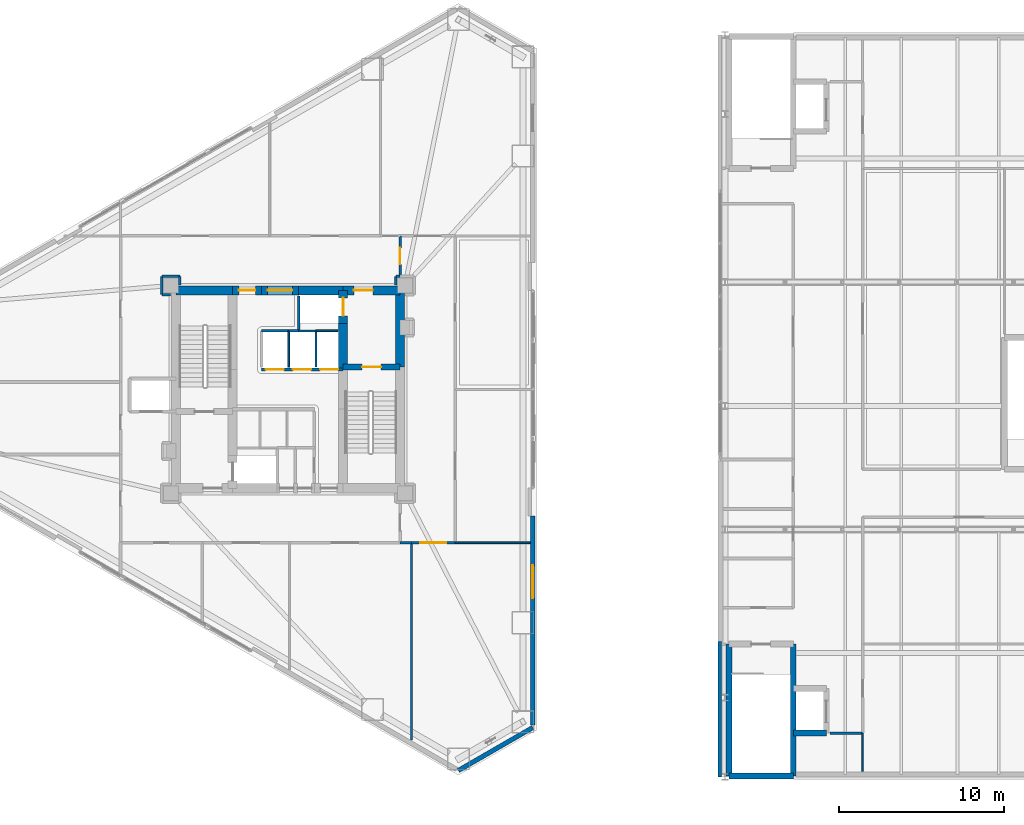
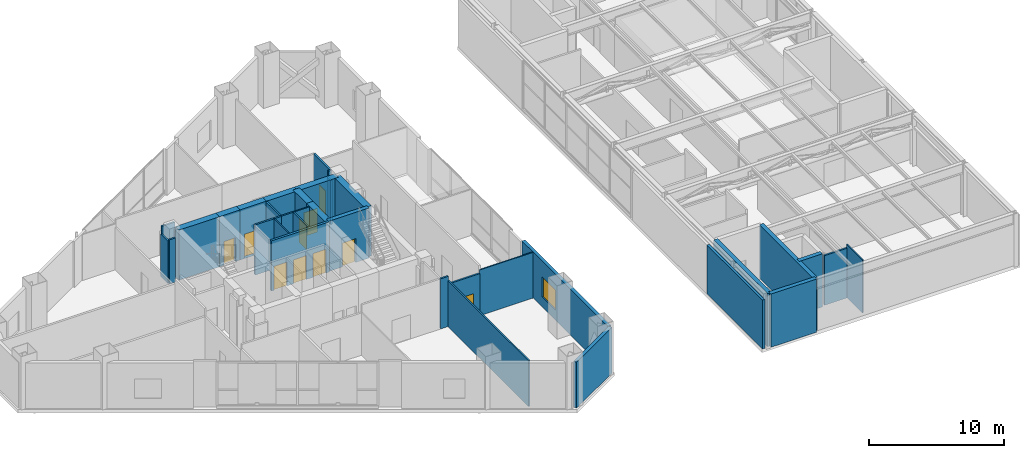
# One storey, part 22 of 27: 37 walls, 10 doors, 1 window, 11 openings.
"""IFC4 building model written with IfcOpenShell, lengths in metres."""

from ifc_helpers import new_model, si_unit, direction, frame, frame_2d, origin, place, context, subcontext, project, spatial, rectangle, extrude, material, layer, layer_set, type_object, element, fill, save


model = new_model("IFC4")

# Units and contexts
model_context = context("Model", 3, precision=1e-05, world=origin(), true_north=direction((0.0, 1.0)))
body_context = subcontext(model_context, "Body", "Model", "MODEL_VIEW")
ifc_project = project(units=[si_unit("LENGTHUNIT", "METRE"), si_unit("AREAUNIT", "SQUARE_METRE"), si_unit("VOLUMEUNIT", "CUBIC_METRE"), si_unit("PLANEANGLEUNIT", "RADIAN"), si_unit("MASSUNIT", "GRAM", prefix="KILO")], contexts=[model_context])

# Site, building, storey
site_placement = place(None, origin())
site = spatial("IfcSite", under=ifc_project, at=site_placement, CompositionType="ELEMENT")
building_placement = place(site_placement, origin())
building = spatial("IfcBuilding", under=site, at=building_placement, Name="Mersakhor Tower and Convention Hall", CompositionType="ELEMENT")
storey_placement = place(building_placement, frame((0.0, 0.0, 14.39990234375)))
storey = spatial("IfcBuildingStorey", under=building, at=storey_placement, Name="L03", CompositionType="ELEMENT", Elevation=14.39990234375)

# Wall
ifc_material_1 = material(Name="Precast concrete C45/55", Category="concrete")
ifc_layer_1 = layer(ifc_material_1, 0.27490234375)
ifc_layer_set_1 = layer_set([ifc_layer_1], Name="Precast concrete C45/55")
wall_type_1 = type_object("IfcWallType", Name="WL-EXT-275", PredefinedType="SOLIDWALL", material=ifc_layer_set_1)
wall_1_placement = place(storey_placement, frame((43.85009765625, 6.240234375, 0.0), z_axis=(0.0, 0.0, 1.0), x_axis=(-0.866043601342, -0.499968479581, 0.0)))
element("IfcWall", 1, at=wall_1_placement, inside=storey, type_object=wall_type_1, Name="L03 Chamfer Braced Spandrel Wall C2", PredefinedType="SOLIDWALL", context=body_context, shape_type="SweptSolid", body=[
    extrude(rectangle(XDim=5.211181640625, YDim=0.27490234375, at=frame_2d((2.60546875, 0.0))), origin(), (0.0, 0.0, 1.0), 4.14013671875),
])

# Wall, opening, window
wall_2_placement = place(storey_placement, frame((43.85009765625, 19.0634765625, 0.0), z_axis=(0.0, 0.0, 1.0), x_axis=(0.0, -1.0, 0.0)))
wall_2 = element("IfcWall", 2, at=wall_2_placement, inside=storey, type_object=wall_type_1, Name="L03 Exterior Facade Wall F2-B3", PredefinedType="SOLIDWALL", context=body_context, shape_type="SweptSolid", body=[
    extrude(rectangle(XDim=12.673095703125, YDim=0.27490234375, at=frame_2d((6.33642578125, 0.0))), origin(), (0.0, 0.0, 1.0), 4.14013671875),
])
opening_1_placement = place(wall_2_placement, frame((2.988037109375, 0.0, 0.89990234375)))
opening_1 = element("IfcOpeningElement", 3, at=opening_1_placement, cuts=wall_2, Name="Opening W-08", PredefinedType="OPENING", context=body_context, shape_type="SweptSolid", body=[
    extrude(rectangle(XDim=2.0, YDim=1.800048828125, at=frame_2d((1.0, 0.89990234375))), frame((0.0, 0.1474609375, 0.0), z_axis=(0.0, -1.0, 0.0), x_axis=(1.0, 0.0, 0.0)), (0.0, 0.0, 1.0), 0.294921875),
])
ifc_material_2 = material(Name="Dark solar low-E glazed aluminium window", Category="aluminium")
window_type = type_object("IfcWindowType", Name="WN-CLN-200x180", PartitioningType="SINGLE_PANEL", PredefinedType="WINDOW", material=ifc_material_2)
window_placement = place(opening_1_placement, origin())
window = element("IfcWindow", 4, at=window_placement, inside=storey, type_object=window_type, Name="L03 Facade Punched Window F2-B3", OverallHeight=1.800048828125, OverallWidth=2.0, PartitioningType="SINGLE_PANEL", PredefinedType="WINDOW", context=body_context, shape_type="SweptSolid", body=[
    extrude(rectangle(XDim=2.0, YDim=1.800048828125, at=frame_2d((1.0, 0.89990234375))), frame((0.0, 0.030029296875, 0.0), z_axis=(0.0, -1.0, 0.0), x_axis=(1.0, 0.0, 0.0)), (0.0, 0.0, 1.0), 0.06005859375),
])
fill(opening_1, window)

# Walls
ifc_material_3 = material(Name="Precast concrete C40/50", Category="concrete")
ifc_layer_2 = layer(ifc_material_3, 0.199951171875)
ifc_layer_set_2 = layer_set([ifc_layer_2], Name="Precast concrete C40/50")
wall_type_2 = type_object("IfcWallType", Name="WL-PAR-200", PredefinedType="PARAPET", material=ifc_layer_set_2)
wall_3_placement = place(storey_placement, frame((55.195068359375, 3.25, 0.0), z_axis=(0.0, 0.0, 1.0), x_axis=(0.0, 1.0, 0.0)))
element("IfcWall", 5, at=wall_3_placement, inside=storey, type_object=wall_type_2, Name="Convention L03 Stair Core Facade Cladding WC1", PredefinedType="PARAPET", context=body_context, shape_type="SweptSolid", body=[
    extrude(rectangle(XDim=8.199951171875, YDim=0.199951171875, at=frame_2d((4.10009765625, 0.0))), origin(), (0.0, 0.0, 1.0), 4.41015625),
])
ifc_material_4 = material(Name="Lightweight gypsum partition", Category="other")
ifc_layer_3 = layer(ifc_material_4, 0.10009765625)
ifc_layer_set_3 = layer_set([ifc_layer_3], Name="Lightweight gypsum partition")
wall_type_3 = type_object("IfcWallType", Name="WL-PRT-100", PredefinedType="PARTITIONING", material=ifc_layer_set_3)
wall_4_placement = place(storey_placement, frame((32.02490234375, 30.300048828125, 0.0), z_axis=(0.0, 0.0, 1.0), x_axis=(-1.0, 0.0, 0.0)))
element("IfcWall", 6, at=wall_4_placement, inside=storey, type_object=wall_type_3, Name="L03 Interior Partition Wall P-004", PredefinedType="PARTITIONING", context=body_context, shape_type="SweptSolid", body=[
    extrude(rectangle(XDim=1.324951171875, YDim=0.10009765625, at=frame_2d((0.66259765625, 0.0))), origin(), (0.0, 0.0, 1.0), 4.52001953125),
])
wall_5_placement = place(storey_placement, frame((29.050048828125, 30.300048828125, 0.0), z_axis=(0.0, 0.0, 1.0), x_axis=(0.0, -1.0, 0.0)))
element("IfcWall", 7, at=wall_5_placement, inside=storey, type_object=wall_type_3, Name="L03 Interior Partition Wall P-014", PredefinedType="PARTITIONING", context=body_context, shape_type="SweptSolid", body=[
    extrude(rectangle(XDim=2.199951171875, YDim=0.10009765625, at=frame_2d((1.10009765625, 0.0))), origin(), (0.0, 0.0, 1.0), 4.52001953125),
])
wall_6_placement = place(storey_placement, frame((63.85009765625, 3.573974609375, 0.0), z_axis=(0.0, 0.0, 1.0), x_axis=(0.0, 1.0, 0.0)))
element("IfcWall", 8, at=wall_6_placement, inside=storey, type_object=wall_type_3, Name="L03 Interior Partition Wall P-088", PredefinedType="PARTITIONING", context=body_context, shape_type="SweptSolid", body=[
    extrude(rectangle(XDim=2.325927734375, YDim=0.10009765625, at=frame_2d((1.1630859375, 0.0))), origin(), (0.0, 0.0, 1.0), 4.800048828125),
])
wall_7_placement = place(storey_placement, frame((43.6884765625, 17.449951171875, 0.0), z_axis=(0.0, 0.0, 1.0), x_axis=(-1.0, 0.0, 0.0)))
element("IfcWall", 9, at=wall_7_placement, inside=storey, type_object=wall_type_3, Name="L03 Interior Partition Wall P-098", PredefinedType="PARTITIONING", context=body_context, shape_type="SweptSolid", body=[
    extrude(rectangle(XDim=4.53857421875, YDim=0.10009765625, at=frame_2d((2.269287109375, 0.0))), origin(), (0.0, 0.0, 1.0), 4.130615234375),
])
ifc_material_5 = material(Name="Gypsum board acoustic partition", Category="other")
ifc_layer_4 = layer(ifc_material_5, 0.125)
ifc_layer_set_4 = layer_set([ifc_layer_4], Name="Gypsum board acoustic partition")
wall_type_4 = type_object("IfcWallType", Name="WL-PRT-125", PredefinedType="PARTITIONING", material=ifc_layer_set_4)
wall_8_placement = place(storey_placement, frame((30.699951171875, 30.300048828125, 0.0), z_axis=(0.0, 0.0, 1.0), x_axis=(-1.0, 0.0, 0.0)))
element("IfcWall", 10, at=wall_8_placement, inside=storey, type_object=wall_type_4, Name="L03 Interior Partition Wall P-005", PredefinedType="PARTITIONING", context=body_context, shape_type="SweptSolid", body=[
    extrude(rectangle(XDim=1.050048828125, YDim=0.125, at=frame_2d((0.52490234375, 0.0))), origin(), (0.0, 0.0, 1.0), 4.52001953125),
])
wall_9_placement = place(storey_placement, frame((30.699951171875, 30.300048828125, 0.0), z_axis=(0.0, 0.0, 1.0), x_axis=(0.0, -1.0, 0.0)))
element("IfcWall", 11, at=wall_9_placement, inside=storey, type_object=wall_type_4, Name="L03 Interior Partition Wall P-017", PredefinedType="PARTITIONING", context=body_context, shape_type="SweptSolid", body=[
    extrude(rectangle(XDim=2.199951171875, YDim=0.125, at=frame_2d((1.10009765625, 0.0))), origin(), (0.0, 0.0, 1.0), 4.52001953125),
])
wall_10_placement = place(storey_placement, frame((36.47998046875, 17.449951171875, 0.0), z_axis=(0.0, 0.0, 1.0), x_axis=(0.0, -1.0, 0.0)))
element("IfcWall", 12, at=wall_10_placement, inside=storey, type_object=wall_type_4, Name="L03 Interior Partition Wall P-099", PredefinedType="PARTITIONING", context=body_context, shape_type="SweptSolid", body=[
    extrude(rectangle(XDim=11.979248046875, YDim=0.125, at=frame_2d((5.98974609375, 0.0))), origin(), (0.0, 0.0, 1.0), 4.130615234375),
])
ifc_material_6 = material(Name="Fire-rated gypsum board stud partition", Category="other")
ifc_layer_5 = layer(ifc_material_6, 0.14990234375)
ifc_layer_set_5 = layer_set([ifc_layer_5], Name="Fire-rated gypsum board stud partition")
wall_type_5 = type_object("IfcWallType", Name="WL-PRT-150", PredefinedType="PARTITIONING", material=ifc_layer_set_5)
wall_11_placement = place(storey_placement, frame((29.64990234375, 30.300048828125, 0.0), z_axis=(0.0, 0.0, 1.0), x_axis=(0.0, 1.0, 0.0)))
element("IfcWall", 13, at=wall_11_placement, inside=storey, type_object=wall_type_5, Name="L03 Interior Partition Wall P-006", PredefinedType="PARTITIONING", context=body_context, shape_type="SweptSolid", body=[
    extrude(rectangle(XDim=2.125, YDim=0.14990234375, at=frame_2d((1.0625, 0.0))), origin(), (0.0, 0.0, 1.0), 4.52001953125),
])
wall_12_placement = place(storey_placement, frame((27.39990234375, 30.300048828125, 0.0), z_axis=(0.0, 0.0, 1.0), x_axis=(1.0, 0.0, 0.0)))
element("IfcWall", 14, at=wall_12_placement, inside=storey, type_object=wall_type_5, Name="L03 Interior Partition Wall P-013", PredefinedType="PARTITIONING", context=body_context, shape_type="SweptSolid", body=[
    extrude(rectangle(XDim=1.650146484375, YDim=0.14990234375, at=frame_2d((0.8251953125, 0.0))), origin(), (0.0, 0.0, 1.0), 4.52001953125),
])
wall_13_placement = place(storey_placement, frame((29.050048828125, 30.300048828125, 0.0), z_axis=(0.0, 0.0, 1.0), x_axis=(1.0, 0.0, 0.0)))
element("IfcWall", 15, at=wall_13_placement, inside=storey, type_object=wall_type_5, Name="L03 Interior Partition Wall P-016", PredefinedType="PARTITIONING", context=body_context, shape_type="SweptSolid", body=[
    extrude(rectangle(XDim=0.599853515625, YDim=0.14990234375, at=frame_2d((0.2998046875, 0.0))), origin(), (0.0, 0.0, 1.0), 4.52001953125),
])
wall_14_placement = place(storey_placement, frame((63.85009765625, 5.89990234375, 0.0), z_axis=(0.0, 0.0, 1.0), x_axis=(-1.0, 0.0, 0.0)))
element("IfcWall", 16, at=wall_14_placement, inside=storey, type_object=wall_type_5, Name="L03 Interior Partition Wall P-035", PredefinedType="PARTITIONING", context=body_context, shape_type="SweptSolid", body=[
    extrude(rectangle(XDim=1.97509765625, YDim=0.14990234375, at=frame_2d((0.987548828125, 0.0))), origin(), (0.0, 0.0, 1.0), 4.478515625),
])

# Wall, opening, door
wall_15_placement = place(storey_placement, frame((35.800048828125, 36.050048828125, 0.0), z_axis=(0.0, 0.0, 1.0), x_axis=(0.0, -1.0, 0.0)))
wall_15 = element("IfcWall", 17, at=wall_15_placement, inside=storey, type_object=wall_type_5, Name="L03 Interior Partition Wall P-052", PredefinedType="PARTITIONING", context=body_context, shape_type="SweptSolid", body=[
    extrude(rectangle(XDim=2.449951171875, YDim=0.14990234375, at=frame_2d((1.22509765625, 0.0))), origin(), (0.0, 0.0, 1.0), 4.52001953125),
])
opening_2_placement = place(wall_15_placement, frame((0.72509765625, 0.0, 0.0)))
opening_2 = element("IfcOpeningElement", 18, at=opening_2_placement, cuts=wall_15, Name="Opening FD-01", PredefinedType="OPENING", context=body_context, shape_type="SweptSolid", body=[
    extrude(rectangle(XDim=1.0, YDim=2.14990234375, at=frame_2d((0.5, 1.074951171875))), frame((0.0, 0.0849609375, 0.0), z_axis=(0.0, -1.0, 0.0), x_axis=(1.0, 0.0, 0.0)), (0.0, 0.0, 1.0), 0.169921875),
])
ifc_material_7 = material(Name="Fire-rated hardwood leaf and painted steel frame", Category="steel")
door_type_1 = type_object("IfcDoorType", Name="DR-INT-FLT-100x215", OperationType="NOTDEFINED", PredefinedType="DOOR", material=ifc_material_7)
door_1_placement = place(opening_2_placement, origin())
door_1 = element("IfcDoor", 19, at=door_1_placement, inside=storey, type_object=door_type_1, Name="L03 Ring Corridor Fire Door", OperationType="SINGLE_SWING_RIGHT", OverallHeight=2.14990234375, OverallWidth=1.0, PredefinedType="DOOR", context=body_context, shape_type="SweptSolid", body=[
    extrude(rectangle(XDim=1.0, YDim=2.14990234375, at=frame_2d((0.5, 1.074951171875))), frame((0.0, 0.02490234375, 0.0), z_axis=(0.0, -1.0, 0.0), x_axis=(1.0, 0.0, 0.0)), (0.0, 0.0, 1.0), 0.050048828125),
])
fill(opening_2, door_1)

# Walls
wall_16_placement = place(storey_placement, frame((35.800048828125, 33.60009765625, 0.0), z_axis=(0.0, 0.0, 1.0), x_axis=(-1.0, 0.0, 0.0)))
element("IfcWall", 20, at=wall_16_placement, inside=storey, type_object=wall_type_5, Name="L03 Interior Partition Wall P-053", PredefinedType="PARTITIONING", context=body_context, shape_type="SweptSolid", body=[
    extrude(rectangle(XDim=0.25, YDim=0.14990234375, at=frame_2d((0.125, 0.0))), origin(), (0.0, 0.0, 1.0), 4.52001953125),
])
for number, where, z_axis, x_axis, name in (
    (21, (35.550048828125, 33.60009765625, 0.0), (0.0, 0.0, 1.0), (0.0, -1.0, 0.0), "L03 Interior Partition Wall P-054"),
    (22, (22.449951171875, 33.074951171875, 0.0), (0.0, 0.0, 1.0), (0.0, 1.0, 0.0), "L03 Interior Partition Wall P-055"),
):
    element("IfcWall", number, at=place(storey_placement, frame(where, z_axis=z_axis, x_axis=x_axis)), inside=storey, type_object=wall_type_5, Name=name, PredefinedType="PARTITIONING", context=body_context, shape_type="SweptSolid", body=[
        extrude(rectangle(XDim=0.525146484375, YDim=0.14990234375, at=frame_2d((0.2626953125, 0.0))), origin(), (0.0, 0.0, 1.0), 3.968505859375),
    ])
wall_17_placement = place(storey_placement, frame((22.449951171875, 33.60009765625, 0.0), z_axis=(0.0, 0.0, 1.0), x_axis=(-1.0, 0.0, 0.0)))
element("IfcWall", 23, at=wall_17_placement, inside=storey, type_object=wall_type_5, Name="L03 Interior Partition Wall P-056", PredefinedType="PARTITIONING", context=body_context, shape_type="SweptSolid", body=[
    extrude(rectangle(XDim=1.099853515625, YDim=0.14990234375, at=frame_2d((0.5498046875, 0.0))), origin(), (0.0, 0.0, 1.0), 4.52001953125),
])
wall_18_placement = place(storey_placement, frame((21.35009765625, 33.60009765625, 0.0), z_axis=(0.0, 0.0, 1.0), x_axis=(0.0, -1.0, 0.0)))
element("IfcWall", 24, at=wall_18_placement, inside=storey, type_object=wall_type_5, Name="L03 Interior Partition Wall P-057", PredefinedType="PARTITIONING", context=body_context, shape_type="SweptSolid", body=[
    extrude(rectangle(XDim=1.10009765625, YDim=0.14990234375, at=frame_2d((0.550048828125, 0.0))), origin(), (0.0, 0.0, 1.0), 3.817626953125),
])
wall_19_placement = place(storey_placement, frame((21.35009765625, 32.5, 0.0), z_axis=(0.0, 0.0, 1.0), x_axis=(1.0, 0.0, 0.0)))
element("IfcWall", 25, at=wall_19_placement, inside=storey, type_object=wall_type_5, Name="L03 Interior Partition Wall P-058", PredefinedType="PARTITIONING", context=body_context, shape_type="SweptSolid", body=[
    extrude(rectangle(XDim=0.52490234375, YDim=0.14990234375, at=frame_2d((0.262451171875, 0.0))), origin(), (0.0, 0.0, 1.0), 3.968505859375),
])

# Wall, opening, door
wall_20_placement = place(storey_placement, frame((39.14990234375, 17.449951171875, 0.0), z_axis=(0.0, 0.0, 1.0), x_axis=(-1.0, 0.0, 0.0)))
wall_20 = element("IfcWall", 26, at=wall_20_placement, inside=storey, type_object=wall_type_5, Name="L03 Interior Partition Wall P-072", PredefinedType="PARTITIONING", context=body_context, shape_type="SweptSolid", body=[
    extrude(rectangle(XDim=2.669921875, YDim=0.14990234375, at=frame_2d((1.3349609375, 0.0))), origin(), (0.0, 0.0, 1.0), 3.817626953125),
])
opening_3_placement = place(wall_20_placement, frame((0.534912109375, 0.0, 0.0)))
opening_3 = element("IfcOpeningElement", 27, at=opening_3_placement, cuts=wall_20, Name="Opening CD-01", PredefinedType="OPENING", context=body_context, shape_type="SweptSolid", body=[
    extrude(rectangle(XDim=1.60009765625, YDim=2.199951171875, at=frame_2d((0.800048828125, 1.10009765625))), frame((0.0, 0.0849609375, 0.0), z_axis=(0.0, -1.0, 0.0), x_axis=(1.0, 0.0, 0.0)), (0.0, 0.0, 1.0), 0.169921875),
])
ifc_material_8 = material(Name="Fire-rated hardwood leaf and painted steel frame", Category="steel")
door_type_2 = type_object("IfcDoorType", Name="DR-INT-COR-160x220", OperationType="NOTDEFINED", PredefinedType="DOOR", material=ifc_material_8)
door_2_placement = place(opening_3_placement, origin())
door_2 = element("IfcDoor", 28, at=door_2_placement, inside=storey, type_object=door_type_2, Name="L03 L03 Primary Healthcare Clinical East Corridor to Phlebotomy and Triage Room Annex Door", OperationType="DOUBLE_DOOR_SINGLE_SWING", OverallHeight=2.199951171875, OverallWidth=1.60009765625, PredefinedType="DOOR", context=body_context, shape_type="SweptSolid", body=[
    extrude(rectangle(XDim=1.60009765625, YDim=2.199951171875, at=frame_2d((0.800048828125, 1.10009765625))), frame((0.0, 0.02490234375, 0.0), z_axis=(0.0, -1.0, 0.0), x_axis=(1.0, 0.0, 0.0)), (0.0, 0.0, 1.0), 0.050048828125),
])
fill(opening_3, door_2)

# Wall
wall_21_placement = place(storey_placement, frame((36.47998046875, 17.449951171875, 0.0), z_axis=(0.0, 0.0, 1.0), x_axis=(-1.0, 0.0, 0.0)))
element("IfcWall", 29, at=wall_21_placement, inside=storey, type_object=wall_type_5, Name="L03 Interior Partition Wall P-073", PredefinedType="PARTITIONING", context=body_context, shape_type="SweptSolid", body=[
    extrude(rectangle(XDim=0.679931640625, YDim=0.14990234375, at=frame_2d((0.33984375, 0.0))), origin(), (0.0, 0.0, 1.0), 4.52001953125),
])

# Wall, openings, doors
ifc_material_9 = material(Name="Acoustic concrete blockwork and gypsum board", Category="masonry")
ifc_layer_6 = layer(ifc_material_9, 0.199951171875)
ifc_layer_set_6 = layer_set([ifc_layer_6], Name="Acoustic concrete blockwork and gypsum board")
wall_type_6 = type_object("IfcWallType", Name="WL-PRT-200", PredefinedType="PARTITIONING", material=ifc_layer_set_6)
wall_22_placement = place(storey_placement, frame((27.39990234375, 27.949951171875, 0.0), z_axis=(0.0, 0.0, 1.0), x_axis=(1.0, 0.0, 0.0)))
wall_22 = element("IfcWall", 30, at=wall_22_placement, inside=storey, type_object=wall_type_6, Name="L03 Low-Rise Lift Bank Front Wall", PredefinedType="PARTITIONING", context=body_context, shape_type="SweptSolid", body=[
    extrude(rectangle(XDim=4.9501953125, YDim=0.199951171875, at=frame_2d((2.47509765625, 0.0))), origin(), (0.0, 0.0, 1.0), 4.52001953125),
])
opening_4_placement = place(wall_22_placement, frame((0.25, 0.0, 0.0)))
opening_4 = element("IfcOpeningElement", 31, at=opening_4_placement, cuts=wall_22, Name="Opening LD-P1", PredefinedType="OPENING", context=body_context, shape_type="SweptSolid", body=[
    extrude(rectangle(XDim=1.10009765625, YDim=2.14990234375, at=frame_2d((0.550048828125, 1.074951171875))), frame((0.0, 0.10986328125, 0.0), z_axis=(0.0, -1.0, 0.0), x_axis=(1.0, 0.0, 0.0)), (0.0, 0.0, 1.0), 0.219970703125),
])
opening_5_placement = place(wall_22_placement, frame((1.89990234375, 0.0, 0.0)))
opening_5 = element("IfcOpeningElement", 32, at=opening_5_placement, cuts=wall_22, Name="Opening LD-P2", PredefinedType="OPENING", context=body_context, shape_type="SweptSolid", body=[
    extrude(rectangle(XDim=1.10009765625, YDim=2.14990234375, at=frame_2d((0.550048828125, 1.074951171875))), frame((0.0, 0.10986328125, 0.0), z_axis=(0.0, -1.0, 0.0), x_axis=(1.0, 0.0, 0.0)), (0.0, 0.0, 1.0), 0.219970703125),
])
opening_6_placement = place(wall_22_placement, frame((3.550048828125, 0.0, 0.0)))
opening_6 = element("IfcOpeningElement", 33, at=opening_6_placement, cuts=wall_22, Name="Opening LD-P3", PredefinedType="OPENING", context=body_context, shape_type="SweptSolid", body=[
    extrude(rectangle(XDim=1.10009765625, YDim=2.14990234375, at=frame_2d((0.550048828125, 1.074951171875))), frame((0.0, 0.10986328125, 0.0), z_axis=(0.0, -1.0, 0.0), x_axis=(1.0, 0.0, 0.0)), (0.0, 0.0, 1.0), 0.219970703125),
])
ifc_material_10 = material(Name="Fire-rated brushed stainless steel sliding landing door", Category="steel")
door_type_3 = type_object("IfcDoorType", Name="DR-LIFT-SLD-110x215", OperationType="NOTDEFINED", PredefinedType="DOOR", material=ifc_material_10)
door_3_placement = place(opening_4_placement, origin())
door_3 = element("IfcDoor", 34, at=door_3_placement, inside=storey, type_object=door_type_3, Name="L03 Lift Landing Door LD-P1", OperationType="SLIDING_TO_LEFT", OverallHeight=2.14990234375, OverallWidth=1.10009765625, PredefinedType="DOOR", context=body_context, shape_type="SweptSolid", body=[
    extrude(rectangle(XDim=1.10009765625, YDim=2.14990234375, at=frame_2d((0.550048828125, 1.074951171875))), frame((0.0, 0.02490234375, 0.0), z_axis=(0.0, -1.0, 0.0), x_axis=(1.0, 0.0, 0.0)), (0.0, 0.0, 1.0), 0.050048828125),
])
fill(opening_4, door_3)
door_4_placement = place(opening_5_placement, origin())
door_4 = element("IfcDoor", 35, at=door_4_placement, inside=storey, type_object=door_type_3, Name="L03 Lift Landing Door LD-P2", OperationType="SLIDING_TO_LEFT", OverallHeight=2.14990234375, OverallWidth=1.10009765625, PredefinedType="DOOR", context=body_context, shape_type="SweptSolid", body=[
    extrude(rectangle(XDim=1.10009765625, YDim=2.14990234375, at=frame_2d((0.550048828125, 1.074951171875))), frame((0.0, 0.02490234375, 0.0), z_axis=(0.0, -1.0, 0.0), x_axis=(1.0, 0.0, 0.0)), (0.0, 0.0, 1.0), 0.050048828125),
])
fill(opening_5, door_4)
door_5_placement = place(opening_6_placement, origin())
door_5 = element("IfcDoor", 36, at=door_5_placement, inside=storey, type_object=door_type_3, Name="L03 Lift Landing Door LD-P3", OperationType="SLIDING_TO_LEFT", OverallHeight=2.14990234375, OverallWidth=1.10009765625, PredefinedType="DOOR", context=body_context, shape_type="SweptSolid", body=[
    extrude(rectangle(XDim=1.10009765625, YDim=2.14990234375, at=frame_2d((0.550048828125, 1.074951171875))), frame((0.0, 0.02490234375, 0.0), z_axis=(0.0, -1.0, 0.0), x_axis=(1.0, 0.0, 0.0)), (0.0, 0.0, 1.0), 0.050048828125),
])
fill(opening_6, door_5)

# Wall, opening, door
ifc_material_11 = material(Name="Concrete C50/60", Category="concrete")
ifc_layer_7 = layer(ifc_material_11, 0.35009765625)
ifc_layer_set_7 = layer_set([ifc_layer_7], Name="Concrete C50/60")
wall_type_7 = type_object("IfcWallType", Name="WL-SHR-350", PredefinedType="SHEAR", material=ifc_layer_set_7)
wall_23_placement = place(storey_placement, frame((32.35009765625, 28.10009765625, 0.0), z_axis=(0.0, 0.0, 1.0), x_axis=(1.0, 0.0, 0.0)))
wall_23 = element("IfcWall", 37, at=wall_23_placement, inside=storey, type_object=wall_type_7, Name="L03 Core Wall CS-ST2-N", PredefinedType="SHEAR", context=body_context, shape_type="SweptSolid", body=[
    extrude(rectangle(XDim=3.449951171875, YDim=0.35009765625, at=frame_2d((1.72509765625, 0.0))), origin(), (0.0, 0.0, 1.0), 4.52001953125),
])
opening_7_placement = place(wall_23_placement, frame((1.14990234375, 0.0, 0.0)))
opening_7 = element("IfcOpeningElement", 38, at=opening_7_placement, cuts=wall_23, Name="Opening SD-01", PredefinedType="OPENING", context=body_context, shape_type="SweptSolid", body=[
    extrude(rectangle(XDim=1.14990234375, YDim=2.14990234375, at=frame_2d((0.574951171875, 1.074951171875))), frame((0.0, 0.18505859375, 0.0), z_axis=(0.0, -1.0, 0.0), x_axis=(1.0, 0.0, 0.0)), (0.0, 0.0, 1.0), 0.3701171875),
])
ifc_material_12 = material(Name="Fire-rated hardwood leaf and painted steel frame", Category="steel")
door_type_4 = type_object("IfcDoorType", Name="DR-INT-STAIR-115x215", OperationType="NOTDEFINED", PredefinedType="DOOR", material=ifc_material_12)
door_6_placement = place(opening_7_placement, origin())
door_6 = element("IfcDoor", 39, at=door_6_placement, inside=storey, type_object=door_type_4, Name="L03 Exit Stair ST-2 Enclosure Door", OperationType="SINGLE_SWING_RIGHT", OverallHeight=2.14990234375, OverallWidth=1.14990234375, PredefinedType="DOOR", context=body_context, shape_type="SweptSolid", body=[
    extrude(rectangle(XDim=1.14990234375, YDim=2.14990234375, at=frame_2d((0.574951171875, 1.074951171875))), frame((0.0, 0.02490234375, 0.0), z_axis=(0.0, -1.0, 0.0), x_axis=(1.0, 0.0, 0.0)), (0.0, 0.0, 1.0), 0.050048828125),
])
fill(opening_7, door_6)

# Walls
wall_24_placement = place(storey_placement, frame((59.64990234375, 5.89990234375, 0.0), z_axis=(0.0, 0.0, 1.0), x_axis=(1.0, 0.0, 0.0)))
element("IfcWall", 40, at=wall_24_placement, inside=storey, type_object=wall_type_7, Name="L03 CVL1 Shaft South Wall", PredefinedType="SHEAR", context=body_context, shape_type="SweptSolid", body=[
    extrude(rectangle(XDim=2.0, YDim=0.35009765625, at=frame_2d((1.0, 0.0))), origin(), (0.0, 0.0, 1.0), 4.800048828125),
])
for number, where, z_axis, x_axis, name in (
    (41, (59.64990234375, 11.300048828125, 0.0), (0.0, 0.0, 1.0), (0.0, -1.0, 0.0), "L03 CHST1 East Shear Wall"),
    (42, (55.75, 3.300048828125, 0.0), (0.0, 0.0, 1.0), (0.0, 1.0, 0.0), "L03 CHST1 West Shear Wall"),
):
    element("IfcWall", number, at=place(storey_placement, frame(where, z_axis=z_axis, x_axis=x_axis)), inside=storey, type_object=wall_type_7, Name=name, PredefinedType="SHEAR", context=body_context, shape_type="SweptSolid", body=[
        extrude(rectangle(XDim=8.0, YDim=0.35009765625, at=frame_2d((4.0, 0.0))), origin(), (0.0, 0.0, 1.0), 4.800048828125),
    ])
wall_25_placement = place(storey_placement, frame((55.75, 3.300048828125, 0.0), z_axis=(0.0, 0.0, 1.0), x_axis=(1.0, 0.0, 0.0)))
element("IfcWall", 43, at=wall_25_placement, inside=storey, type_object=wall_type_7, Name="L03 CHST1 South Shear Wall", PredefinedType="SHEAR", context=body_context, shape_type="SweptSolid", body=[
    extrude(rectangle(XDim=3.89990234375, YDim=0.35009765625, at=frame_2d((1.949951171875, 0.0))), origin(), (0.0, 0.0, 1.0), 4.800048828125),
])
ifc_material_13 = material(Name="Concrete C70/85", Category="concrete")
ifc_layer_8 = layer(ifc_material_13, 0.550048828125)
ifc_layer_set_8 = layer_set([ifc_layer_8], Name="Concrete C70/85")
wall_type_8 = type_object("IfcWallType", Name="WL-SHR-550", PredefinedType="SHEAR", material=ifc_layer_set_8)
wall_26_placement = place(storey_placement, frame((22.199951171875, 32.75, 0.0), z_axis=(0.0, 0.0, 1.0), x_axis=(1.0, 0.0, 0.0)))
element("IfcWall", 44, at=wall_26_placement, inside=storey, type_object=wall_type_8, Name="L03 Core Wall CW-N1", PredefinedType="SHEAR", context=body_context, shape_type="SweptSolid", body=[
    extrude(rectangle(XDim=3.449951171875, YDim=0.550048828125, at=frame_2d((1.72509765625, 0.0))), origin(), (0.0, 0.0, 1.0), 4.52001953125),
])

# Wall, opening, door
wall_27_placement = place(storey_placement, frame((25.64990234375, 32.75, 0.0), z_axis=(0.0, 0.0, 1.0), x_axis=(1.0, 0.0, 0.0)))
wall_27 = element("IfcWall", 45, at=wall_27_placement, inside=storey, type_object=wall_type_8, Name="L03 Core Wall CW-N2A", PredefinedType="SHEAR", context=body_context, shape_type="SweptSolid", body=[
    extrude(rectangle(XDim=1.75, YDim=0.550048828125, at=frame_2d((0.875, 0.0))), origin(), (0.0, 0.0, 1.0), 4.52001953125),
])
opening_8_placement = place(wall_27_placement, frame((0.375, 0.0, 0.0)))
opening_8 = element("IfcOpeningElement", 46, at=opening_8_placement, cuts=wall_27, Name="Opening CFD-01", PredefinedType="OPENING", context=body_context, shape_type="SweptSolid", body=[
    extrude(rectangle(XDim=1.0, YDim=2.14990234375, at=frame_2d((0.5, 1.074951171875))), frame((0.0, 0.284912109375, 0.0), z_axis=(0.0, -1.0, 0.0), x_axis=(1.0, 0.0, 0.0)), (0.0, 0.0, 1.0), 0.570068359375),
])
ifc_material_14 = material(Name="Fire-rated hardwood leaf and painted steel frame", Category="steel")
door_type_5 = type_object("IfcDoorType", Name="DR-CORE-FD-100x215", OperationType="NOTDEFINED", PredefinedType="DOOR", material=ifc_material_14)
door_7_placement = place(opening_8_placement, origin())
door_7 = element("IfcDoor", 47, at=door_7_placement, inside=storey, type_object=door_type_5, Name="L03 Lift Lobby North Corridor Door", OperationType="SINGLE_SWING_LEFT", OverallHeight=2.14990234375, OverallWidth=1.0, PredefinedType="DOOR", context=body_context, shape_type="SweptSolid", body=[
    extrude(rectangle(XDim=1.0, YDim=2.14990234375, at=frame_2d((0.5, 1.074951171875))), frame((0.0, 0.02490234375, 0.0), z_axis=(0.0, -1.0, 0.0), x_axis=(1.0, 0.0, 0.0)), (0.0, 0.0, 1.0), 0.050048828125),
])
fill(opening_8, door_7)

wall_28_placement = place(storey_placement, frame((27.39990234375, 32.75, 0.0), z_axis=(0.0, 0.0, 1.0), x_axis=(1.0, 0.0, 0.0)))
wall_28 = element("IfcWall", 48, at=wall_28_placement, inside=storey, type_object=wall_type_8, Name="L03 Core Wall CW-N2B", PredefinedType="SHEAR", context=body_context, shape_type="SweptSolid", body=[
    extrude(rectangle(XDim=2.25, YDim=0.550048828125, at=frame_2d((1.125, 0.0))), origin(), (0.0, 0.0, 1.0), 4.52001953125),
])
opening_9_placement = place(wall_28_placement, frame((0.375, 0.0, 0.0)))
opening_9 = element("IfcOpeningElement", 49, at=opening_9_placement, cuts=wall_28, Name="Opening LD-LOB", PredefinedType="OPENING", context=body_context, shape_type="SweptSolid", body=[
    extrude(rectangle(XDim=1.5, YDim=2.199951171875, at=frame_2d((0.75, 1.10009765625))), frame((0.0, 0.284912109375, 0.0), z_axis=(0.0, -1.0, 0.0), x_axis=(1.0, 0.0, 0.0)), (0.0, 0.0, 1.0), 0.570068359375),
])
ifc_material_15 = material(Name="Fire-rated hardwood leaf and painted steel frame", Category="steel")
door_type_6 = type_object("IfcDoorType", Name="DR-INT-LOB-150x220", OperationType="NOTDEFINED", PredefinedType="DOOR", material=ifc_material_15)
door_8_placement = place(opening_9_placement, origin())
door_8 = element("IfcDoor", 50, at=door_8_placement, inside=storey, type_object=door_type_6, Name="L03 Central Passenger Lift Lobby to L03 Primary Healthcare Clinical Corridor Door", OperationType="DOUBLE_DOOR_SINGLE_SWING", OverallHeight=2.199951171875, OverallWidth=1.5, PredefinedType="DOOR", context=body_context, shape_type="SweptSolid", body=[
    extrude(rectangle(XDim=1.5, YDim=2.199951171875, at=frame_2d((0.75, 1.10009765625))), frame((0.0, 0.02490234375, 0.0), z_axis=(0.0, -1.0, 0.0), x_axis=(1.0, 0.0, 0.0)), (0.0, 0.0, 1.0), 0.050048828125),
])
fill(opening_9, door_8)

# Wall
wall_29_placement = place(storey_placement, frame((29.64990234375, 32.75, 0.0), z_axis=(0.0, 0.0, 1.0), x_axis=(1.0, 0.0, 0.0)))
element("IfcWall", 51, at=wall_29_placement, inside=storey, type_object=wall_type_8, Name="L03 Core Wall CW-N3", PredefinedType="SHEAR", context=body_context, shape_type="SweptSolid", body=[
    extrude(rectangle(XDim=2.7001953125, YDim=0.550048828125, at=frame_2d((1.35009765625, 0.0))), origin(), (0.0, 0.0, 1.0), 4.52001953125),
])

# Wall, opening, door
wall_30_placement = place(storey_placement, frame((32.35009765625, 32.75, 0.0), z_axis=(0.0, 0.0, 1.0), x_axis=(1.0, 0.0, 0.0)))
wall_30 = element("IfcWall", 52, at=wall_30_placement, inside=storey, type_object=wall_type_8, Name="L03 Core Wall CW-N4", PredefinedType="SHEAR", context=body_context, shape_type="SweptSolid", body=[
    extrude(rectangle(XDim=3.449951171875, YDim=0.550048828125, at=frame_2d((1.72509765625, 0.0))), origin(), (0.0, 0.0, 1.0), 4.52001953125),
])
opening_10_placement = place(wall_30_placement, frame((0.64990234375, 0.0, 0.0)))
opening_10 = element("IfcOpeningElement", 53, at=opening_10_placement, cuts=wall_30, Name="Opening SD-01", PredefinedType="OPENING", context=body_context, shape_type="SweptSolid", body=[
    extrude(rectangle(XDim=1.14990234375, YDim=2.14990234375, at=frame_2d((0.574951171875, 1.074951171875))), frame((0.0, 0.284912109375, 0.0), z_axis=(0.0, -1.0, 0.0), x_axis=(1.0, 0.0, 0.0)), (0.0, 0.0, 1.0), 0.570068359375),
])
door_9_placement = place(opening_10_placement, origin())
door_9 = element("IfcDoor", 54, at=door_9_placement, inside=storey, type_object=door_type_4, Name="L03 Firefighting Lobby East Fire Door", OperationType="SINGLE_SWING_RIGHT", OverallHeight=2.14990234375, OverallWidth=1.14990234375, PredefinedType="DOOR", context=body_context, shape_type="SweptSolid", body=[
    extrude(rectangle(XDim=1.14990234375, YDim=2.14990234375, at=frame_2d((0.574951171875, 1.074951171875))), frame((0.0, 0.02490234375, 0.0), z_axis=(0.0, -1.0, 0.0), x_axis=(1.0, 0.0, 0.0)), (0.0, 0.0, 1.0), 0.050048828125),
])
fill(opening_10, door_9)

# Walls
wall_31_placement = place(storey_placement, frame((35.800048828125, 32.75, 0.0), z_axis=(0.0, 0.0, 1.0), x_axis=(0.0, -1.0, 0.0)))
element("IfcWall", 55, at=wall_31_placement, inside=storey, type_object=wall_type_8, Name="L03 Core Wall CW-E1", PredefinedType="SHEAR", context=body_context, shape_type="SweptSolid", body=[
    extrude(rectangle(XDim=4.64990234375, YDim=0.550048828125, at=frame_2d((2.324951171875, 0.0))), origin(), (0.0, 0.0, 1.0), 4.52001953125),
])
wall_32_placement = place(storey_placement, frame((32.35009765625, 27.949951171875, 0.0), z_axis=(0.0, 0.0, 1.0), x_axis=(0.0, 1.0, 0.0)))
element("IfcWall", 56, at=wall_32_placement, inside=storey, type_object=wall_type_8, Name="L03 Core Wall CS-E-MID", PredefinedType="SHEAR", context=body_context, shape_type="SweptSolid", body=[
    extrude(rectangle(XDim=2.800048828125, YDim=0.550048828125, at=frame_2d((1.39990234375, 0.0))), origin(), (0.0, 0.0, 1.0), 4.52001953125),
])

# Wall, opening, door
wall_33_placement = place(storey_placement, frame((32.35009765625, 30.75, 0.0), z_axis=(0.0, 0.0, 1.0), x_axis=(0.0, 1.0, 0.0)))
wall_33 = element("IfcWall", 57, at=wall_33_placement, inside=storey, type_object=wall_type_8, Name="L03 Core Wall CS-E-FFL", PredefinedType="SHEAR", context=body_context, shape_type="SweptSolid", body=[
    extrude(rectangle(XDim=2.0, YDim=0.550048828125, at=frame_2d((1.0, 0.0))), origin(), (0.0, 0.0, 1.0), 4.52001953125),
])
opening_11_placement = place(wall_33_placement, frame((0.449951171875, 0.0, 0.0)))
opening_11 = element("IfcOpeningElement", 58, at=opening_11_placement, cuts=wall_33, Name="Opening LD-FFL2", PredefinedType="OPENING", context=body_context, shape_type="SweptSolid", body=[
    extrude(rectangle(XDim=1.10009765625, YDim=2.14990234375, at=frame_2d((0.550048828125, 1.074951171875))), frame((0.0, 0.284912109375, 0.0), z_axis=(0.0, -1.0, 0.0), x_axis=(1.0, 0.0, 0.0)), (0.0, 0.0, 1.0), 0.570068359375),
])
door_10_placement = place(opening_11_placement, origin())
door_10 = element("IfcDoor", 59, at=door_10_placement, inside=storey, type_object=door_type_3, Name="L03 Firefighting Lift Landing Door LD-FFL2", OperationType="SLIDING_TO_LEFT", OverallHeight=2.14990234375, OverallWidth=1.10009765625, PredefinedType="DOOR", context=body_context, shape_type="SweptSolid", body=[
    extrude(rectangle(XDim=1.10009765625, YDim=2.14990234375, at=frame_2d((0.550048828125, 1.074951171875))), frame((0.0, 0.02490234375, 0.0), z_axis=(0.0, -1.0, 0.0), x_axis=(1.0, 0.0, 0.0)), (0.0, 0.0, 1.0), 0.050048828125),
])
fill(opening_11, door_10)

save(model, "model.ifc")
